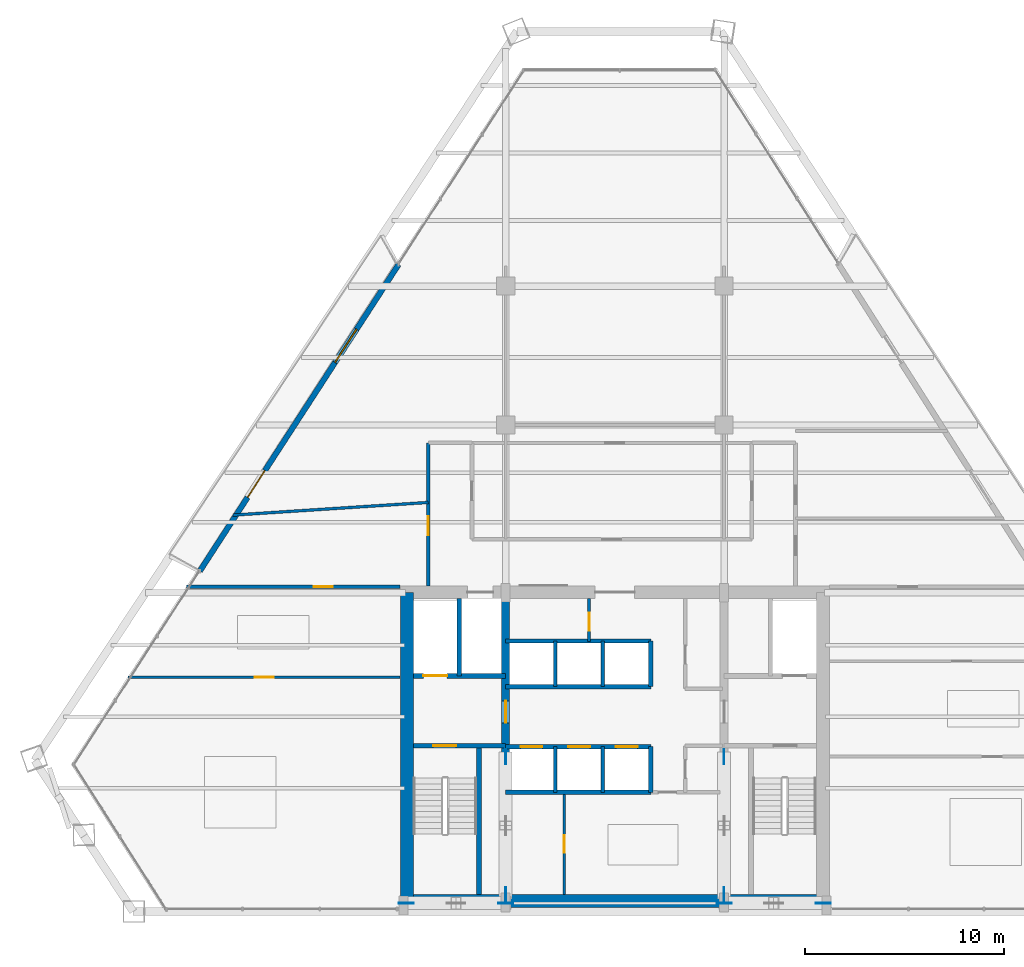
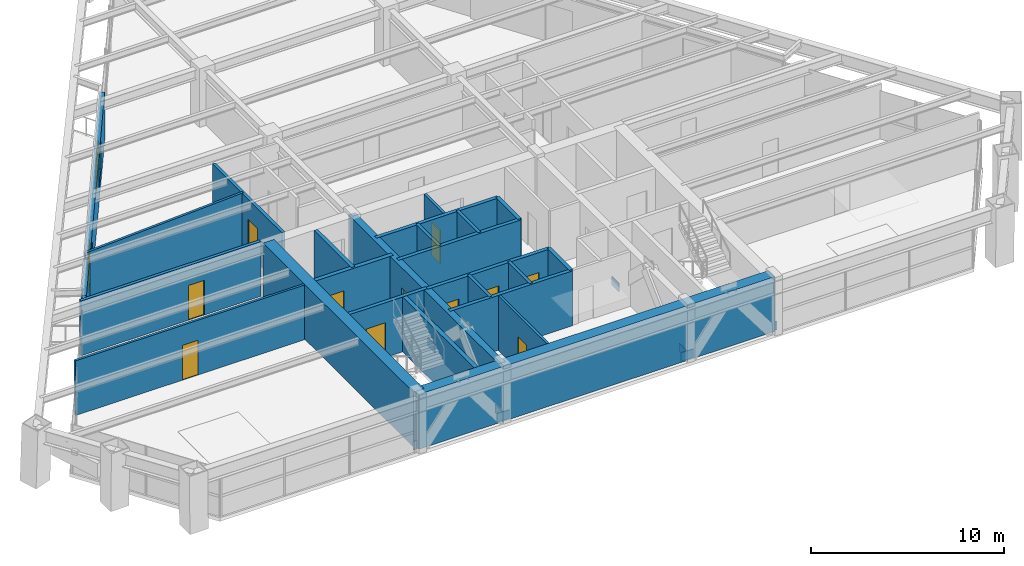
# One storey, part 11 of 15: 24 walls, 12 doors, 8 plates, 1 window, 13 openings.
"""IFC4 building model written with IfcOpenShell, lengths in metres."""

from ifc_helpers import new_model, si_unit, direction, frame, frame_2d, origin, origin_2d, place, context, subcontext, project, spatial, rectangle, extrude, source, transform, mapped, material, layer, layer_set, type_object, type_shapes, element, fill, save


model = new_model("IFC4")

# Units and contexts
model_context = context("Model", 3, precision=1e-05, world=origin(), true_north=direction((0.0, 1.0)))
body_context = subcontext(model_context, "Body", "Model", "MODEL_VIEW")
ifc_project = project(units=[si_unit("LENGTHUNIT", "METRE"), si_unit("AREAUNIT", "SQUARE_METRE"), si_unit("VOLUMEUNIT", "CUBIC_METRE"), si_unit("PLANEANGLEUNIT", "RADIAN"), si_unit("MASSUNIT", "GRAM", prefix="KILO")], contexts=[model_context])

# Site, building, storey
site_placement = place(None, origin())
site = spatial("IfcSite", under=ifc_project, at=site_placement, CompositionType="ELEMENT")
building_placement = place(site_placement, origin())
building = spatial("IfcBuilding", under=site, at=building_placement, Name="Varnakhor Terracotta Tower", CompositionType="ELEMENT")
storey_placement = place(building_placement, frame((0.0, 0.0, 144.10009765625)))
storey = spatial("IfcBuildingStorey", under=building, at=storey_placement, Name="L36", CompositionType="ELEMENT", Elevation=144.10009765625)

# Plates
ifc_material_1 = material(Name="Steel S460", Category="steel")
ifc_layer_1 = layer(ifc_material_1, 0.050048828125, Name="Steel S460")
ifc_layer_set_1 = layer_set([ifc_layer_1], Name="Steel S460")
plate_type = type_object("IfcPlateType", Name="PLT-GUSSET-50", PredefinedType="USERDEFINED", material=ifc_layer_set_1)
shared_shape_1 = source(origin(), body_context, "Body", "SweptSolid", [
    extrude(rectangle(XDim=0.75, YDim=0.0400390625, at=origin_2d()), origin(), (0.0, 0.0, 1.0), 0.550048828125),
])
type_shapes(plate_type, [shared_shape_1])
for number, where, z_axis, x_axis, name in (
    (1, (-10.5, 0.419921875, -0.09521484375), (0.0, 0.0, 1.0), (1.0, 0.0, 0.0), "L36 Core Brace Embed Plate CSWA"),
    (2, (-5.5, 0.419921875, -0.09521484375), (0.0, 0.0, 1.0), (1.0, 0.0, 0.0), "L36 Core Brace Embed Plate CSWB"),
    (3, (5.5, 0.419921875, -0.09521484375), (0.0, 0.0, 1.0), (1.0, 0.0, 0.0), "L36 Core Brace Embed Plate CSEA"),
    (4, (10.5, 0.419921875, -0.09521484375), (0.0, 0.0, 1.0), (1.0, 0.0, 0.0), "L36 Core Brace Embed Plate CSEB"),
    (5, (-5.5, 0.85009765625, -0.09521484375), (0.0, 0.0, 1.0), (0.0, 1.0, 0.0), "L36 Core Brace Embed Plate CWWA"),
    (6, (-5.5, 7.800048828125, -0.09521484375), (0.0, 0.0, 1.0), (0.0, 1.0, 0.0), "L36 Core Brace Embed Plate CWWB"),
    (7, (5.5, 0.85009765625, -0.09521484375), (0.0, 0.0, 1.0), (0.0, 1.0, 0.0), "L36 Core Brace Embed Plate CWEA"),
    (8, (5.5, 7.800048828125, -0.09521484375), (0.0, 0.0, 1.0), (0.0, 1.0, 0.0), "L36 Core Brace Embed Plate CWEB"),
):
    element("IfcPlate", number, at=place(storey_placement, frame(where, z_axis=z_axis, x_axis=x_axis)), inside=storey, type_object=plate_type, Name=name, ObjectType="GUSSET PLATE", PredefinedType="USERDEFINED", context=body_context, shape_type="MappedRepresentation", body=[
        mapped(shared_shape_1, transform((0.0, 0.0, 0.0), scale=1.0)),
    ])

# Walls
ifc_material_2 = material(Name="Concrete C50/60", Category="concrete")
ifc_layer_2 = layer(ifc_material_2, 0.64990234375, Name="Concrete C50/60")
ifc_layer_set_2 = layer_set([ifc_layer_2], Name="Concrete C50/60")
wall_type_1 = type_object("IfcWallType", Name="WAL-CORE-650", PredefinedType="SHEAR", material=ifc_layer_set_2)
wall_1_placement = place(storey_placement, frame((-10.64990234375, 0.52490234375, 0.0), z_axis=(0.0, 0.0, 1.0), x_axis=(1.0, 0.0, 0.0)))
element("IfcWall", 9, at=wall_1_placement, inside=storey, type_object=wall_type_1, Name="L36 South Core Shear Wall", PredefinedType="SHEAR", context=body_context, shape_type="SweptSolid", body=[
    extrude(rectangle(XDim=21.2998046875, YDim=0.64990234375, at=frame_2d((10.64990234375, 0.0))), origin(), (0.0, 0.0, 1.0), 3.469970703125),
])
wall_2_placement = place(storey_placement, frame((-10.47509765625, 0.52490234375, 0.0), z_axis=(0.0, 0.0, 1.0), x_axis=(0.0, 1.0, 0.0)))
element("IfcWall", 10, at=wall_2_placement, inside=storey, type_object=wall_type_1, Name="L36 West Core Shear Wall", PredefinedType="SHEAR", context=body_context, shape_type="SweptSolid", body=[
    extrude(rectangle(XDim=15.550048828125, YDim=0.64990234375, at=frame_2d((7.77490234375, 0.0))), origin(), (0.0, 0.0, 1.0), 3.469970703125),
])

# Wall, opening, door
ifc_layer_3 = layer(ifc_material_2, 0.39990234375, Name="Concrete C50/60")
ifc_layer_set_3 = layer_set([ifc_layer_3], Name="Concrete C50/60")
wall_type_2 = type_object("IfcWallType", Name="WAL-CORE-WEB-400", PredefinedType="SHEAR", material=ifc_layer_set_3)
wall_3_placement = place(storey_placement, frame((-5.5, 0.52490234375, 0.0), z_axis=(0.0, 0.0, 1.0), x_axis=(0.0, 1.0, 0.0)))
wall_3 = element("IfcWall", 11, at=wall_3_placement, inside=storey, type_object=wall_type_2, Name="L36 West Core Web Shear Wall", PredefinedType="SHEAR", context=body_context, shape_type="SweptSolid", body=[
    extrude(rectangle(XDim=15.550048828125, YDim=0.39990234375, at=frame_2d((7.77490234375, 0.0))), origin(), (0.0, 0.0, 1.0), 3.469970703125),
])
opening_1_placement = place(wall_3_placement, frame((8.97509765625, 0.0, 0.0)))
opening_1 = element("IfcOpeningElement", 12, at=opening_1_placement, cuts=wall_3, Name="Opening DR-25", PredefinedType="OPENING", context=body_context, shape_type="SweptSolid", body=[
    extrude(rectangle(XDim=1.10009765625, YDim=2.199951171875, at=frame_2d((0.550048828125, 1.10009765625))), frame((0.0, 0.2099609375, 0.0), z_axis=(0.0, -1.0, 0.0), x_axis=(1.0, 0.0, 0.0)), (0.0, 0.0, 1.0), 0.419921875),
])
ifc_material_3 = material(Name="Firefighting Lobby Self-Closing Fire Door", Category="steel")
door_type_1 = type_object("IfcDoorType", Name="DR-FFL-1100X2200", OperationType="NOTDEFINED", PredefinedType="DOOR", material=ifc_material_3)
shared_shape_2 = source(origin(), body_context, "Body", "SweptSolid", [
    extrude(rectangle(XDim=1.10009765625, YDim=2.199951171875, at=frame_2d((0.550048828125, 1.10009765625))), frame((0.0, 0.02490234375, 0.0), z_axis=(0.0, -1.0, 0.0), x_axis=(1.0, 0.0, 0.0)), (0.0, 0.0, 1.0), 0.050048828125),
])
type_shapes(door_type_1, [shared_shape_2])
door_1_placement = place(opening_1_placement, origin())
door_1 = element("IfcDoor", 13, at=door_1_placement, inside=storey, type_object=door_type_1, Name="L36 West Firefighting Lobby Door", OperationType="SINGLE_SWING_RIGHT", OverallHeight=2.199951171875, OverallWidth=1.10009765625, PredefinedType="DOOR", context=body_context, shape_type="MappedRepresentation", body=[
    mapped(shared_shape_2, transform((0.0, 0.0, 0.0), scale=1.0)),
])
fill(opening_1, door_1)

ifc_material_4 = material(Name="Fire-Rated Gypsum Stud Partition", Category="gypsum")
ifc_layer_4 = layer(ifc_material_4, 0.18505859375, Name="Fire-Rated Gypsum Stud Partition")
ifc_layer_set_4 = layer_set([ifc_layer_4], Name="Fire-Rated Gypsum Stud Partition")
wall_type_3 = type_object("IfcWallType", Name="WAL-CORR-185", PredefinedType="PARTITIONING", material=ifc_layer_set_4)
wall_4_placement = place(storey_placement, frame((-9.39990234375, 16.39990234375, 0.0), z_axis=(0.0, 0.0, 1.0), x_axis=(0.0, 1.0, 0.0)))
wall_4 = element("IfcWall", 14, at=wall_4_placement, inside=storey, type_object=wall_type_3, Name="L36 West Gallery Outer Wall", PredefinedType="PARTITIONING", context=body_context, shape_type="SweptSolid", body=[
    extrude(rectangle(XDim=7.2001953125, YDim=0.18505859375, at=frame_2d((3.60009765625, 0.0))), origin(), (0.0, 0.0, 1.0), 3.4619140625),
])
opening_2_placement = place(wall_4_placement, frame((2.546142578125, 0.0, 0.0)))
opening_2 = element("IfcOpeningElement", 15, at=opening_2_placement, cuts=wall_4, Name="Opening DR-94", PredefinedType="OPENING", context=body_context, shape_type="SweptSolid", body=[
    extrude(rectangle(XDim=0.949951171875, YDim=2.199951171875, at=frame_2d((0.47509765625, 1.10009765625))), frame((0.0, 0.1025390625, 0.0), z_axis=(0.0, -1.0, 0.0), x_axis=(1.0, 0.0, 0.0)), (0.0, 0.0, 1.0), 0.205078125),
])
ifc_material_5 = material(Name="Acoustic Glazed-Vision Timber Office Door", Category="wood")
door_type_2 = type_object("IfcDoorType", Name="DR-OFF-950X2200", OperationType="NOTDEFINED", PredefinedType="DOOR", material=ifc_material_5)
shared_shape_3 = source(origin(), body_context, "Body", "SweptSolid", [
    extrude(rectangle(XDim=0.949951171875, YDim=2.199951171875, at=frame_2d((0.47509765625, 1.10009765625))), frame((0.0, 0.02490234375, 0.0), z_axis=(0.0, -1.0, 0.0), x_axis=(1.0, 0.0, 0.0)), (0.0, 0.0, 1.0), 0.050048828125),
])
type_shapes(door_type_2, [shared_shape_3])
door_2_placement = place(opening_2_placement, origin())
door_2 = element("IfcDoor", 16, at=door_2_placement, inside=storey, type_object=door_type_2, Name="L36 West Wing Door", OperationType="SINGLE_SWING_LEFT", OverallHeight=2.199951171875, OverallWidth=0.949951171875, PredefinedType="DOOR", context=body_context, shape_type="MappedRepresentation", body=[
    mapped(shared_shape_3, transform((0.0, 0.0, 0.0), scale=1.0)),
])
fill(opening_2, door_2)

wall_5_placement = place(storey_placement, frame((-21.575927734375, 16.35009765625, 0.0), z_axis=(0.0, 0.0, 1.0), x_axis=(1.0, 0.0, 0.0)))
wall_5 = element("IfcWall", 17, at=wall_5_placement, inside=storey, type_object=wall_type_3, Name="L36 South West Entry Wall", PredefinedType="PARTITIONING", context=body_context, shape_type="SweptSolid", body=[
    extrude(rectangle(XDim=10.755859375, YDim=0.18505859375, at=frame_2d((5.3779296875, 0.0))), origin(), (0.0, 0.0, 1.0), 3.4619140625),
])
opening_3_placement = place(wall_5_placement, frame((6.414306640625, 0.0, 0.0)))
opening_3 = element("IfcOpeningElement", 18, at=opening_3_placement, cuts=wall_5, Name="Opening DR-94", PredefinedType="OPENING", context=body_context, shape_type="SweptSolid", body=[
    extrude(rectangle(XDim=0.949951171875, YDim=2.199951171875, at=frame_2d((0.47509765625, 1.10009765625))), frame((0.0, 0.1025390625, 0.0), z_axis=(0.0, -1.0, 0.0), x_axis=(1.0, 0.0, 0.0)), (0.0, 0.0, 1.0), 0.205078125),
])
door_3_placement = place(opening_3_placement, origin())
door_3 = element("IfcDoor", 19, at=door_3_placement, inside=storey, type_object=door_type_2, Name="L36 SW Suite Door", OperationType="SINGLE_SWING_LEFT", OverallHeight=2.199951171875, OverallWidth=0.949951171875, PredefinedType="DOOR", context=body_context, shape_type="MappedRepresentation", body=[
    mapped(shared_shape_3, transform((0.0, 0.0, 0.0), scale=1.0)),
])
fill(opening_3, door_3)

# Wall, openings, door, window
ifc_material_6 = material(Name="Extruded Architectural Terracotta Assembly", Category="masonry")
ifc_layer_5 = layer(ifc_material_6, 0.280029296875, Name="Extruded Architectural Terracotta Assembly")
ifc_layer_set_5 = layer_set([ifc_layer_5], Name="Extruded Architectural Terracotta Assembly")
wall_type_4 = type_object("IfcWallType", Name="WAL-EXT-TERRACOTTA-280", PredefinedType="SOLIDWALL", material=ifc_layer_set_5)
wall_6_placement = place(storey_placement, frame((-20.9013671875, 17.151611328125, 0.0), z_axis=(0.0, 0.0, 1.0), x_axis=(0.544015380352, 0.839075244505, 0.0)))
wall_6 = element("IfcWall", 20, at=wall_6_placement, inside=storey, type_object=wall_type_4, Name="L36 W Loggia Insulated Terracotta Wall", PredefinedType="SOLIDWALL", context=body_context, shape_type="SweptSolid", body=[
    extrude(rectangle(XDim=18.396240234375, YDim=0.280029296875, at=frame_2d((9.1982421875, 0.0))), origin(), (0.0, 0.0, 1.0), 3.0498046875),
])
opening_4_placement = place(wall_6_placement, frame((4.4150390625, 0.0, 0.0)))
opening_4 = element("IfcOpeningElement", 21, at=opening_4_placement, cuts=wall_6, Name="Opening DR-62", PredefinedType="OPENING", context=body_context, shape_type="SweptSolid", body=[
    extrude(rectangle(XDim=1.60009765625, YDim=2.35009765625, at=frame_2d((0.800048828125, 1.175048828125))), frame((0.0, 0.14990234375, 0.0), z_axis=(0.0, -1.0, 0.0), x_axis=(1.0, 0.0, 0.0)), (0.0, 0.0, 1.0), 0.300048828125),
])
opening_5_placement = place(wall_6_placement, frame((12.50927734375, 0.0, 0.89990234375)))
opening_5 = element("IfcOpeningElement", 22, at=opening_5_placement, cuts=wall_6, Name="Opening WN-26", PredefinedType="OPENING", context=body_context, shape_type="SweptSolid", body=[
    extrude(rectangle(XDim=2.0, YDim=1.85009765625, at=frame_2d((1.0, 0.925048828125))), frame((0.0, 0.14990234375, 0.0), z_axis=(0.0, -1.0, 0.0), x_axis=(1.0, 0.0, 0.0)), (0.0, 0.0, 1.0), 0.300048828125),
])
ifc_material_7 = material(Name="Thermally Broken Sliding Glass Loggia Door", Category="glass")
door_type_3 = type_object("IfcDoorType", Name="DR-EXT-LOGGIA-1600X2350", OperationType="NOTDEFINED", PredefinedType="DOOR", material=ifc_material_7)
shared_shape_4 = source(origin(), body_context, "Body", "SweptSolid", [
    extrude(rectangle(XDim=1.60009765625, YDim=2.35009765625, at=frame_2d((0.800048828125, 1.175048828125))), frame((0.0, 0.02490234375, 0.0), z_axis=(0.0, -1.0, 0.0), x_axis=(1.0, 0.0, 0.0)), (0.0, 0.0, 1.0), 0.050048828125),
])
type_shapes(door_type_3, [shared_shape_4])
door_4_placement = place(opening_4_placement, origin())
door_4 = element("IfcDoor", 23, at=door_4_placement, inside=storey, type_object=door_type_3, Name="L36 W Recessed Loggia Sliding Door", OperationType="SLIDING_TO_LEFT", OverallHeight=2.35009765625, OverallWidth=1.60009765625, PredefinedType="DOOR", context=body_context, shape_type="MappedRepresentation", body=[
    mapped(shared_shape_4, transform((0.0, 0.0, 0.0), scale=1.0)),
])
fill(opening_4, door_4)
ifc_material_8 = material(Name="Solar-Control Low-E Insulated Glass Unit", Category="glass")
window_type = type_object("IfcWindowType", Name="WIN-OFF-2200X2100", PartitioningType="SINGLE_PANEL", PredefinedType="WINDOW", material=ifc_material_8)
shared_shape_5 = source(origin(), body_context, "Body", "SweptSolid", [
    extrude(rectangle(XDim=2.0, YDim=1.85009765625, at=frame_2d((1.0, 0.925048828125))), frame((0.0, 0.030029296875, 0.0), z_axis=(0.0, -1.0, 0.0), x_axis=(1.0, 0.0, 0.0)), (0.0, 0.0, 1.0), 0.06005859375),
])
type_shapes(window_type, [shared_shape_5])
window_placement = place(opening_5_placement, origin())
window = element("IfcWindow", 24, at=window_placement, inside=storey, type_object=window_type, Name="L36 W Facet Punched Window", OverallHeight=1.85009765625, OverallWidth=2.0, PartitioningType="SINGLE_PANEL", PredefinedType="WINDOW", context=body_context, shape_type="MappedRepresentation", body=[
    mapped(shared_shape_5, transform((0.0, 0.0, 0.0), scale=1.0)),
])
fill(opening_5, window)

# Wall, opening, door
ifc_material_9 = material(Name="Concrete C40/50", Category="concrete")
ifc_layer_6 = layer(ifc_material_9, 0.219970703125, Name="Concrete C40/50")
ifc_layer_set_6 = layer_set([ifc_layer_6], Name="Concrete C40/50")
wall_type_5 = type_object("IfcWallType", Name="WAL-FFLOBBY-220", PredefinedType="SOLIDWALL", material=ifc_layer_set_6)
wall_7_placement = place(storey_placement, frame((-5.5, 8.35009765625, 0.0), z_axis=(0.0, 0.0, 1.0), x_axis=(-1.0, 0.0, 0.0)))
wall_7 = element("IfcWall", 25, at=wall_7_placement, inside=storey, type_object=wall_type_5, Name="L36 West Firefighting Lobby Stair Wall", PredefinedType="SOLIDWALL", context=body_context, shape_type="SweptSolid", body=[
    extrude(rectangle(XDim=4.64990234375, YDim=0.219970703125, at=frame_2d((2.324951171875, 0.0))), origin(), (0.0, 0.0, 1.0), 3.469970703125),
])
opening_6_placement = place(wall_7_placement, frame((2.5, 0.0, 0.0)))
opening_6 = element("IfcOpeningElement", 26, at=opening_6_placement, cuts=wall_7, Name="Opening DR-34", PredefinedType="OPENING", context=body_context, shape_type="SweptSolid", body=[
    extrude(rectangle(XDim=1.14990234375, YDim=2.199951171875, at=frame_2d((0.574951171875, 1.10009765625))), frame((0.0, 0.1201171875, 0.0), z_axis=(0.0, -1.0, 0.0), x_axis=(1.0, 0.0, 0.0)), (0.0, 0.0, 1.0), 0.239990234375),
])
ifc_material_10 = material(Name="Self-Closing Smoke-Sealed Steel Fire Door", Category="steel")
door_type_4 = type_object("IfcDoorType", Name="DR-STAIR-1150X2200", OperationType="NOTDEFINED", PredefinedType="DOOR", material=ifc_material_10)
shared_shape_6 = source(origin(), body_context, "Body", "SweptSolid", [
    extrude(rectangle(XDim=1.14990234375, YDim=2.199951171875, at=frame_2d((0.574951171875, 1.10009765625))), frame((0.0, 0.02490234375, 0.0), z_axis=(0.0, -1.0, 0.0), x_axis=(1.0, 0.0, 0.0)), (0.0, 0.0, 1.0), 0.050048828125),
])
type_shapes(door_type_4, [shared_shape_6])
door_5_placement = place(opening_6_placement, origin())
door_5 = element("IfcDoor", 27, at=door_5_placement, inside=storey, type_object=door_type_4, Name="L36 Exit Stair ST-1 Fire Door", OperationType="SINGLE_SWING_LEFT", OverallHeight=2.199951171875, OverallWidth=1.14990234375, PredefinedType="DOOR", context=body_context, shape_type="MappedRepresentation", body=[
    mapped(shared_shape_6, transform((0.0, 0.0, 0.0), scale=1.0)),
])
fill(opening_6, door_5)

ifc_material_11 = material(Name="Acoustic Metal-Stud Partition", Category="gypsum")
ifc_layer_7 = layer(ifc_material_11, 0.139892578125, Name="Acoustic Metal-Stud Partition")
ifc_layer_set_7 = layer_set([ifc_layer_7], Name="Acoustic Metal-Stud Partition")
wall_type_6 = type_object("IfcWallType", Name="WAL-PART-140", PredefinedType="PARTITIONING", material=ifc_layer_set_7)
wall_8_placement = place(storey_placement, frame((-24.52587890625, 11.800048828125, 0.0), z_axis=(0.0, 0.0, 1.0), x_axis=(1.0, 0.0, 0.0)))
wall_8 = element("IfcWall", 28, at=wall_8_placement, inside=storey, type_object=wall_type_6, Name="L36 West Wing Cut 1", PredefinedType="PARTITIONING", context=body_context, shape_type="SweptSolid", body=[
    extrude(rectangle(XDim=13.705810546875, YDim=0.139892578125, at=frame_2d((6.85302734375, 0.0))), origin(), (0.0, 0.0, 1.0), 3.4619140625),
])
opening_7_placement = place(wall_8_placement, frame((6.38720703125, 0.0, 0.0)))
opening_7 = element("IfcOpeningElement", 29, at=opening_7_placement, cuts=wall_8, Name="Opening DR-94", PredefinedType="OPENING", context=body_context, shape_type="SweptSolid", body=[
    extrude(rectangle(XDim=0.949951171875, YDim=2.199951171875, at=frame_2d((0.47509765625, 1.10009765625))), frame((0.0, 0.080078125, 0.0), z_axis=(0.0, -1.0, 0.0), x_axis=(1.0, 0.0, 0.0)), (0.0, 0.0, 1.0), 0.159912109375),
])
door_6_placement = place(opening_7_placement, origin())
door_6 = element("IfcDoor", 30, at=door_6_placement, inside=storey, type_object=door_type_2, Name="L36 Counsel Office 7 Door", OperationType="SINGLE_SWING_LEFT", OverallHeight=2.199951171875, OverallWidth=0.949951171875, PredefinedType="DOOR", context=body_context, shape_type="MappedRepresentation", body=[
    mapped(shared_shape_3, transform((0.0, 0.0, 0.0), scale=1.0)),
])
fill(opening_7, door_6)

# Walls
wall_9_placement = place(storey_placement, frame((-19.234130859375, 19.9619140625, 0.0), z_axis=(0.0, 0.0, 1.0), x_axis=(0.997901003893, 0.064757906313, 0.0)))
element("IfcWall", 31, at=wall_9_placement, inside=storey, type_object=wall_type_6, Name="L36 West Wing Cut 2", PredefinedType="PARTITIONING", context=body_context, shape_type="SweptSolid", body=[
    extrude(rectangle(XDim=9.85498046875, YDim=0.139892578125, at=frame_2d((4.927490234375, 0.0))), origin(), (0.0, 0.0, 1.0), 3.4619140625),
])
ifc_layer_8 = layer(ifc_material_9, 0.179931640625, Name="Concrete C40/50")
ifc_layer_set_8 = layer_set([ifc_layer_8], Name="Concrete C40/50")
wall_type_7 = type_object("IfcWallType", Name="WAL-SHAFT-180", PredefinedType="SOLIDWALL", material=ifc_layer_set_8)
for number, where, z_axis, x_axis, name in (
    (32, (-3.0, 6.0, 0.0), (0.0, 0.0, 1.0), (0.0, 1.0, 0.0), "L36 PL-2A Divider"),
    (33, (-0.60009765625, 6.0, 0.0), (0.0, 0.0, 1.0), (0.0, 1.0, 0.0), "L36 PL-2B Divider"),
    (34, (-3.0, 11.320068359375, 0.0), (0.0, 0.0, 1.0), (0.0, 1.0, 0.0), "L36 PL-3A Divider"),
    (35, (-0.60009765625, 11.320068359375, 0.0), (0.0, 0.0, 1.0), (0.0, 1.0, 0.0), "L36 PL-3B Divider"),
):
    element("IfcWall", number, at=place(storey_placement, frame(where, z_axis=z_axis, x_axis=x_axis)), inside=storey, type_object=wall_type_7, Name=name, PredefinedType="SOLIDWALL", context=body_context, shape_type="SweptSolid", body=[
        extrude(rectangle(XDim=2.300048828125, YDim=0.179931640625, at=frame_2d((1.14990234375, 0.0))), origin(), (0.0, 0.0, 1.0), 3.469970703125),
    ])
ifc_layer_9 = layer(ifc_material_9, 0.219970703125, Name="Concrete C40/50")
ifc_layer_set_9 = layer_set([ifc_layer_9], Name="Concrete C40/50")
wall_type_8 = type_object("IfcWallType", Name="WAL-SHAFT-220", PredefinedType="SOLIDWALL", material=ifc_layer_set_9)
wall_10_placement = place(storey_placement, frame((-7.840087890625, 11.8701171875, 0.0), z_axis=(0.0, 0.0, 1.0), x_axis=(0.0, 1.0, 0.0)))
element("IfcWall", 36, at=wall_10_placement, inside=storey, type_object=wall_type_8, Name="L36 Lift FFL-1 and SVL-1 Divider Wall", PredefinedType="SOLIDWALL", context=body_context, shape_type="SweptSolid", body=[
    extrude(rectangle(XDim=3.8798828125, YDim=0.219970703125, at=frame_2d((1.93994140625, 0.0))), origin(), (0.0, 0.0, 1.0), 3.469970703125),
])
wall_11_placement = place(storey_placement, frame((-5.5, 6.0, 0.0), z_axis=(0.0, 0.0, 1.0), x_axis=(1.0, 0.0, 0.0)))
element("IfcWall", 37, at=wall_11_placement, inside=storey, type_object=wall_type_8, Name="L36 Bank 2 South Shaft Wall", PredefinedType="SOLIDWALL", context=body_context, shape_type="SweptSolid", body=[
    extrude(rectangle(XDim=7.320068359375, YDim=0.219970703125, at=frame_2d((3.66015625, 0.0))), origin(), (0.0, 0.0, 1.0), 3.469970703125),
])

# Wall, openings, doors
wall_12_placement = place(storey_placement, frame((-5.5, 8.300048828125, 0.0), z_axis=(0.0, 0.0, 1.0), x_axis=(1.0, 0.0, 0.0)))
wall_12 = element("IfcWall", 38, at=wall_12_placement, inside=storey, type_object=wall_type_8, Name="L36 Bank 2 North Shaft Wall", PredefinedType="SOLIDWALL", context=body_context, shape_type="SweptSolid", body=[
    extrude(rectangle(XDim=7.320068359375, YDim=0.219970703125, at=frame_2d((3.66015625, 0.0))), origin(), (0.0, 0.0, 1.0), 3.469970703125),
])
opening_8_placement = place(wall_12_placement, frame((0.75, 0.0, 0.0)))
opening_8 = element("IfcOpeningElement", 39, at=opening_8_placement, cuts=wall_12, Name="Opening LD-01", PredefinedType="OPENING", context=body_context, shape_type="SweptSolid", body=[
    extrude(rectangle(XDim=1.10009765625, YDim=2.199951171875, at=frame_2d((0.550048828125, 1.10009765625))), frame((0.0, 0.1201171875, 0.0), z_axis=(0.0, -1.0, 0.0), x_axis=(1.0, 0.0, 0.0)), (0.0, 0.0, 1.0), 0.239990234375),
])
opening_9_placement = place(wall_12_placement, frame((3.14990234375, 0.0, 0.0)))
opening_9 = element("IfcOpeningElement", 40, at=opening_9_placement, cuts=wall_12, Name="Opening LD-01", PredefinedType="OPENING", context=body_context, shape_type="SweptSolid", body=[
    extrude(rectangle(XDim=1.10009765625, YDim=2.199951171875, at=frame_2d((0.550048828125, 1.10009765625))), frame((0.0, 0.1201171875, 0.0), z_axis=(0.0, -1.0, 0.0), x_axis=(1.0, 0.0, 0.0)), (0.0, 0.0, 1.0), 0.239990234375),
])
opening_10_placement = place(wall_12_placement, frame((5.550048828125, 0.0, 0.0)))
opening_10 = element("IfcOpeningElement", 41, at=opening_10_placement, cuts=wall_12, Name="Opening LD-01", PredefinedType="OPENING", context=body_context, shape_type="SweptSolid", body=[
    extrude(rectangle(XDim=1.10009765625, YDim=2.199951171875, at=frame_2d((0.550048828125, 1.10009765625))), frame((0.0, 0.1201171875, 0.0), z_axis=(0.0, -1.0, 0.0), x_axis=(1.0, 0.0, 0.0)), (0.0, 0.0, 1.0), 0.239990234375),
])
ifc_material_12 = material(Name="Brushed Stainless Steel Sliding Lift Landing Door", Category="steel")
door_type_5 = type_object("IfcDoorType", Name="LD-PASS-1100X2200", OperationType="NOTDEFINED", PredefinedType="DOOR", material=ifc_material_12)
shared_shape_7 = source(origin(), body_context, "Body", "SweptSolid", [
    extrude(rectangle(XDim=1.10009765625, YDim=2.199951171875, at=frame_2d((0.550048828125, 1.10009765625))), frame((0.0, 0.02490234375, 0.0), z_axis=(0.0, -1.0, 0.0), x_axis=(1.0, 0.0, 0.0)), (0.0, 0.0, 1.0), 0.050048828125),
])
type_shapes(door_type_5, [shared_shape_7])
door_7_placement = place(opening_8_placement, origin())
door_7 = element("IfcDoor", 42, at=door_7_placement, inside=storey, type_object=door_type_5, Name="L36 Passenger Lift PL-2A Landing Door", OperationType="SLIDING_TO_LEFT", OverallHeight=2.199951171875, OverallWidth=1.10009765625, PredefinedType="DOOR", context=body_context, shape_type="MappedRepresentation", body=[
    mapped(shared_shape_7, transform((0.0, 0.0, 0.0), scale=1.0)),
])
fill(opening_8, door_7)
door_8_placement = place(opening_9_placement, origin())
door_8 = element("IfcDoor", 43, at=door_8_placement, inside=storey, type_object=door_type_5, Name="L36 Passenger Lift PL-2B Landing Door", OperationType="SLIDING_TO_LEFT", OverallHeight=2.199951171875, OverallWidth=1.10009765625, PredefinedType="DOOR", context=body_context, shape_type="MappedRepresentation", body=[
    mapped(shared_shape_7, transform((0.0, 0.0, 0.0), scale=1.0)),
])
fill(opening_9, door_8)
door_9_placement = place(opening_10_placement, origin())
door_9 = element("IfcDoor", 44, at=door_9_placement, inside=storey, type_object=door_type_5, Name="L36 Passenger Lift PL-2C Landing Door", OperationType="SLIDING_TO_LEFT", OverallHeight=2.199951171875, OverallWidth=1.10009765625, PredefinedType="DOOR", context=body_context, shape_type="MappedRepresentation", body=[
    mapped(shared_shape_7, transform((0.0, 0.0, 0.0), scale=1.0)),
])
fill(opening_10, door_9)

# Walls
wall_13_placement = place(storey_placement, frame((1.800048828125, 6.0, 0.0), z_axis=(0.0, 0.0, 1.0), x_axis=(0.0, 1.0, 0.0)))
element("IfcWall", 45, at=wall_13_placement, inside=storey, type_object=wall_type_8, Name="L36 Bank 2 East Shaft Wall", PredefinedType="SOLIDWALL", context=body_context, shape_type="SweptSolid", body=[
    extrude(rectangle(XDim=2.300048828125, YDim=0.219970703125, at=frame_2d((1.14990234375, 0.0))), origin(), (0.0, 0.0, 1.0), 3.469970703125),
])
for number, where, z_axis, x_axis, name in (
    (46, (-5.5, 11.320068359375, 0.0), (0.0, 0.0, 1.0), (1.0, 0.0, 0.0), "L36 Bank 3 South Shaft Wall"),
    (47, (-5.5, 13.6201171875, 0.0), (0.0, 0.0, 1.0), (1.0, 0.0, 0.0), "L36 Bank 3 North Shaft Wall"),
):
    element("IfcWall", number, at=place(storey_placement, frame(where, z_axis=z_axis, x_axis=x_axis)), inside=storey, type_object=wall_type_8, Name=name, PredefinedType="SOLIDWALL", context=body_context, shape_type="SweptSolid", body=[
        extrude(rectangle(XDim=7.320068359375, YDim=0.219970703125, at=frame_2d((3.66015625, 0.0))), origin(), (0.0, 0.0, 1.0), 3.469970703125),
    ])
wall_14_placement = place(storey_placement, frame((1.800048828125, 11.320068359375, 0.0), z_axis=(0.0, 0.0, 1.0), x_axis=(0.0, 1.0, 0.0)))
element("IfcWall", 48, at=wall_14_placement, inside=storey, type_object=wall_type_8, Name="L36 Bank 3 East Shaft Wall", PredefinedType="SOLIDWALL", context=body_context, shape_type="SweptSolid", body=[
    extrude(rectangle(XDim=2.300048828125, YDim=0.219970703125, at=frame_2d((1.14990234375, 0.0))), origin(), (0.0, 0.0, 1.0), 3.469970703125),
])
ifc_layer_10 = layer(ifc_material_9, 0.25, Name="Concrete C40/50")
ifc_layer_set_10 = layer_set([ifc_layer_10], Name="Concrete C40/50")
wall_type_9 = type_object("IfcWallType", Name="WAL-SHAFT-250", PredefinedType="SOLIDWALL", material=ifc_layer_set_10)
wall_15_placement = place(storey_placement, frame((-6.85009765625, 0.85009765625, 0.0), z_axis=(0.0, 0.0, 1.0), x_axis=(0.0, 1.0, 0.0)))
element("IfcWall", 49, at=wall_15_placement, inside=storey, type_object=wall_type_9, Name="L36 Stair ST-1 Bearing Shaft Wall", PredefinedType="SOLIDWALL", context=body_context, shape_type="SweptSolid", body=[
    extrude(rectangle(XDim=7.5, YDim=0.25, at=frame_2d((3.75, 0.0))), origin(), (0.0, 0.0, 1.0), 3.469970703125),
])

# Wall, opening, door
wall_16_placement = place(storey_placement, frame((-5.5, 11.8701171875, 0.0), z_axis=(0.0, 0.0, 1.0), x_axis=(-1.0, 0.0, 0.0)))
wall_16 = element("IfcWall", 50, at=wall_16_placement, inside=storey, type_object=wall_type_9, Name="L36 Lift FFL-1 Shaft Front Wall", PredefinedType="SOLIDWALL", context=body_context, shape_type="SweptSolid", body=[
    extrude(rectangle(XDim=4.64990234375, YDim=0.25, at=frame_2d((2.324951171875, 0.0))), origin(), (0.0, 0.0, 1.0), 3.469970703125),
])
opening_11_placement = place(wall_16_placement, frame((2.949951171875, 0.0, 0.0)))
opening_11 = element("IfcOpeningElement", 51, at=opening_11_placement, cuts=wall_16, Name="Opening LD-02", PredefinedType="OPENING", context=body_context, shape_type="SweptSolid", body=[
    extrude(rectangle(XDim=1.199951171875, YDim=2.25, at=frame_2d((0.60009765625, 1.125))), frame((0.0, 0.135009765625, 0.0), z_axis=(0.0, -1.0, 0.0), x_axis=(1.0, 0.0, 0.0)), (0.0, 0.0, 1.0), 0.27001953125),
])
ifc_material_13 = material(Name="Firefighting Stretcher Sliding Lift Landing Door", Category="steel")
door_type_6 = type_object("IfcDoorType", Name="LD-FFL-1200X2250", OperationType="NOTDEFINED", PredefinedType="DOOR", material=ifc_material_13)
shared_shape_8 = source(origin(), body_context, "Body", "SweptSolid", [
    extrude(rectangle(XDim=1.199951171875, YDim=2.25, at=frame_2d((0.60009765625, 1.125))), frame((0.0, 0.02490234375, 0.0), z_axis=(0.0, -1.0, 0.0), x_axis=(1.0, 0.0, 0.0)), (0.0, 0.0, 1.0), 0.050048828125),
])
type_shapes(door_type_6, [shared_shape_8])
door_10_placement = place(opening_11_placement, origin())
door_10 = element("IfcDoor", 52, at=door_10_placement, inside=storey, type_object=door_type_6, Name="L36 Firefighting Lift FFL-1 Landing Door", OperationType="SLIDING_TO_LEFT", OverallHeight=2.25, OverallWidth=1.199951171875, PredefinedType="DOOR", context=body_context, shape_type="MappedRepresentation", body=[
    mapped(shared_shape_8, transform((0.0, 0.0, 0.0), scale=1.0)),
])
fill(opening_11, door_10)

ifc_material_14 = material(Name="Acoustic Fire-Rated Partition", Category="gypsum")
ifc_layer_11 = layer(ifc_material_14, 0.139892578125, Name="Acoustic Fire-Rated Partition")
ifc_layer_set_11 = layer_set([ifc_layer_11], Name="Acoustic Fire-Rated Partition")
wall_type_10 = type_object("IfcWallType", Name="WAL-TENANCY-140", PredefinedType="PARTITIONING", material=ifc_layer_set_11)
wall_17_placement = place(storey_placement, frame((-2.550048828125, 0.85009765625, 0.0), z_axis=(0.0, 0.0, 1.0), x_axis=(0.0, 1.0, 0.0)))
wall_17 = element("IfcWall", 53, at=wall_17_placement, inside=storey, type_object=wall_type_10, Name="L36 Reclaimed Core Bay Split Wall", PredefinedType="PARTITIONING", context=body_context, shape_type="SweptSolid", body=[
    extrude(rectangle(XDim=5.02978515625, YDim=0.139892578125, at=frame_2d((2.514892578125, 0.0))), origin(), (0.0, 0.0, 1.0), 3.4619140625),
])
opening_12_placement = place(wall_17_placement, frame((2.10009765625, 0.0, 0.0)))
opening_12 = element("IfcOpeningElement", 54, at=opening_12_placement, cuts=wall_17, Name="Opening DR-67", PredefinedType="OPENING", context=body_context, shape_type="SweptSolid", body=[
    extrude(rectangle(XDim=0.89990234375, YDim=2.10009765625, at=frame_2d((0.449951171875, 1.050048828125))), frame((0.0, 0.080078125, 0.0), z_axis=(0.0, -1.0, 0.0), x_axis=(1.0, 0.0, 0.0)), (0.0, 0.0, 1.0), 0.159912109375),
])
ifc_material_15 = material(Name="Steel Service Riser Fire Door", Category="steel")
door_type_7 = type_object("IfcDoorType", Name="DR-RISER-900X2100", OperationType="NOTDEFINED", PredefinedType="DOOR", material=ifc_material_15)
shared_shape_9 = source(origin(), body_context, "Body", "SweptSolid", [
    extrude(rectangle(XDim=0.89990234375, YDim=2.10009765625, at=frame_2d((0.449951171875, 1.050048828125))), frame((0.0, 0.02490234375, 0.0), z_axis=(0.0, -1.0, 0.0), x_axis=(1.0, 0.0, 0.0)), (0.0, 0.0, 1.0), 0.050048828125),
])
type_shapes(door_type_7, [shared_shape_9])
door_11_placement = place(opening_12_placement, origin())
door_11 = element("IfcDoor", 55, at=door_11_placement, inside=storey, type_object=door_type_7, Name="L36 Core Inner Service Door", OperationType="SINGLE_SWING_RIGHT", OverallHeight=2.10009765625, OverallWidth=0.89990234375, PredefinedType="DOOR", context=body_context, shape_type="MappedRepresentation", body=[
    mapped(shared_shape_9, transform((0.0, 0.0, 0.0), scale=1.0)),
])
fill(opening_12, door_11)

ifc_layer_12 = layer(ifc_material_14, 0.1650390625, Name="Acoustic Fire-Rated Partition")
ifc_layer_set_12 = layer_set([ifc_layer_12], Name="Acoustic Fire-Rated Partition")
wall_type_11 = type_object("IfcWallType", Name="WAL-TENANCY-165", PredefinedType="PARTITIONING", material=ifc_layer_set_12)
wall_18_placement = place(storey_placement, frame((-1.300048828125, 13.60009765625, 0.0), z_axis=(0.0, 0.0, 1.0), x_axis=(0.0, 1.0, 0.0)))
wall_18 = element("IfcWall", 56, at=wall_18_placement, inside=storey, type_object=wall_type_11, Name="L36 Male Restroom Wall", PredefinedType="PARTITIONING", context=body_context, shape_type="SweptSolid", body=[
    extrude(rectangle(XDim=2.14990234375, YDim=0.1650390625, at=frame_2d((1.074951171875, 0.0))), origin(), (0.0, 0.0, 1.0), 3.4619140625),
])
opening_13_placement = place(wall_18_placement, frame((0.550048828125, 0.0, 0.0)))
opening_13 = element("IfcOpeningElement", 57, at=opening_13_placement, cuts=wall_18, Name="Opening DR-67", PredefinedType="OPENING", context=body_context, shape_type="SweptSolid", body=[
    extrude(rectangle(XDim=0.89990234375, YDim=2.10009765625, at=frame_2d((0.449951171875, 1.050048828125))), frame((0.0, 0.092529296875, 0.0), z_axis=(0.0, -1.0, 0.0), x_axis=(1.0, 0.0, 0.0)), (0.0, 0.0, 1.0), 0.18505859375),
])
door_12_placement = place(opening_13_placement, origin())
door_12 = element("IfcDoor", 58, at=door_12_placement, inside=storey, type_object=door_type_7, Name="L36 Male WC Door", OperationType="SINGLE_SWING_RIGHT", OverallHeight=2.10009765625, OverallWidth=0.89990234375, PredefinedType="DOOR", context=body_context, shape_type="MappedRepresentation", body=[
    mapped(shared_shape_9, transform((0.0, 0.0, 0.0), scale=1.0)),
])
fill(opening_13, door_12)

save(model, "model.ifc")
